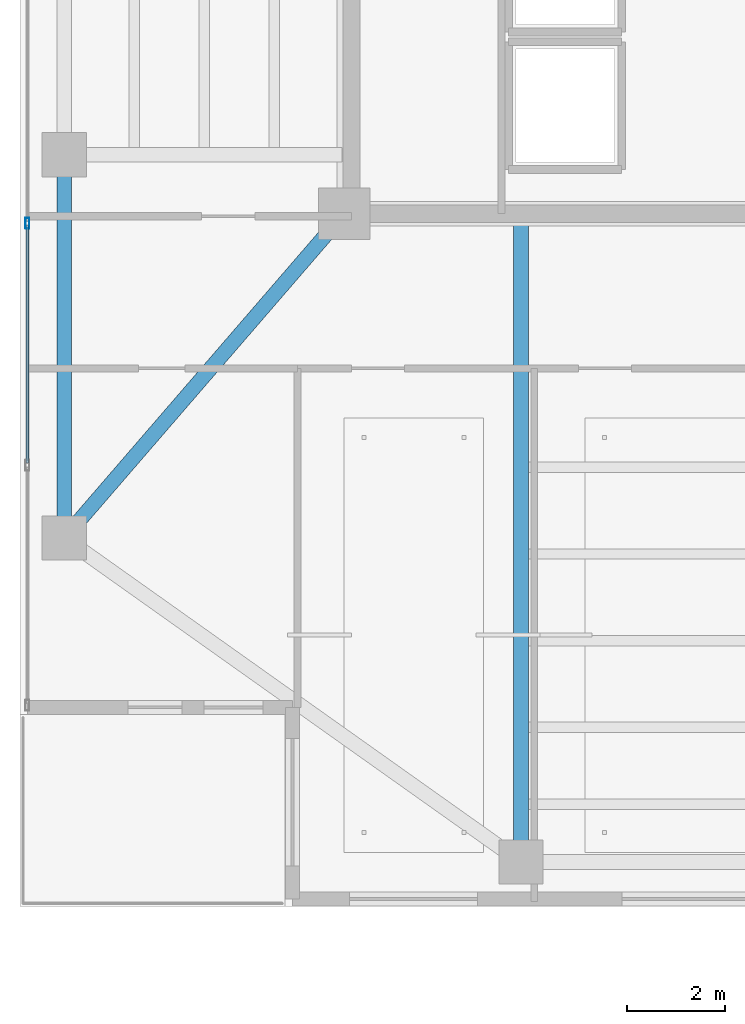
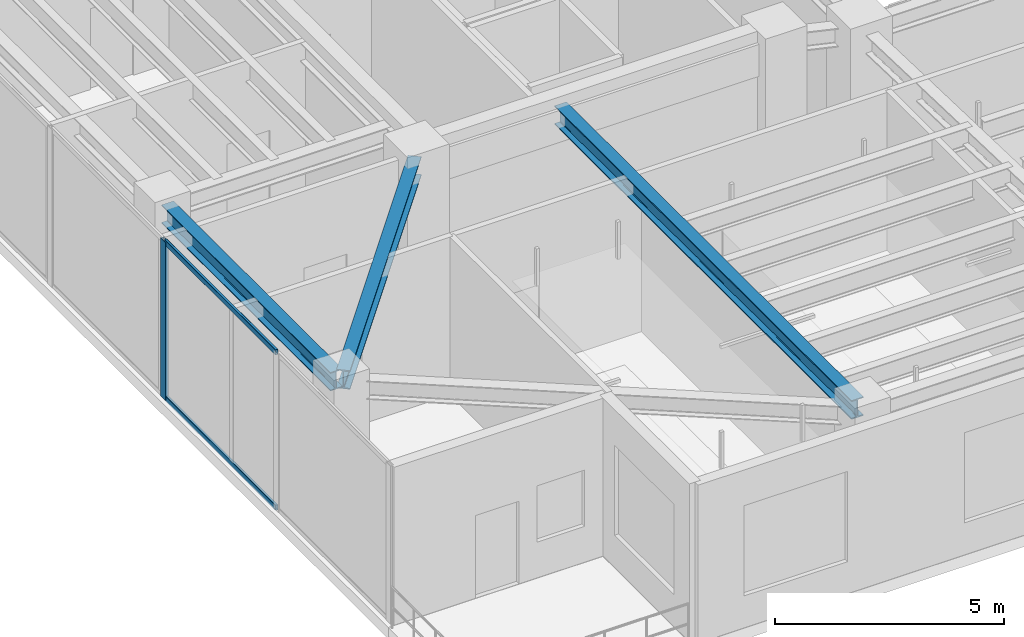
# One storey, part 3 of 33: 3 beams, 3 members, 1 element without a shape of its own.
"""IFC4 building model written with IfcOpenShell, lengths in metres."""

from ifc_helpers import new_model, si_unit, direction, frame, origin, origin_2d, place, context, subcontext, project, spatial, hollow_rectangle, i_section, extrude, material, layer, layer_set, material_profile, profile_set, type_object, element, aggregate, save


model = new_model("IFC4")

# Units and contexts
model_context = context("Model", 3, precision=1e-05, world=origin(), true_north=direction((0.0, 1.0)))
body_context = subcontext(model_context, "Body", "Model", "MODEL_VIEW")
ifc_project = project(units=[si_unit("LENGTHUNIT", "METRE"), si_unit("AREAUNIT", "SQUARE_METRE"), si_unit("VOLUMEUNIT", "CUBIC_METRE"), si_unit("PLANEANGLEUNIT", "RADIAN"), si_unit("MASSUNIT", "GRAM", prefix="KILO")], contexts=[model_context])

# Site, building, storey
site_placement = place(None, origin())
site = spatial("IfcSite", under=ifc_project, at=site_placement, CompositionType="ELEMENT")
building_placement = place(site_placement, origin())
building = spatial("IfcBuilding", under=site, at=building_placement, Name="Tarnavaz Court Tower", CompositionType="ELEMENT")
storey_placement = place(building_placement, frame((0.0, 0.0, 172.800048828125)))
storey = spatial("IfcBuildingStorey", under=building, at=storey_placement, Name="L47", CompositionType="ELEMENT", Elevation=172.800048828125)

# Beams
ifc_material_1 = material(Name="Steel S355", Category="steel")
ifc_material_profile_1 = material_profile(ifc_material_1, i_section(OverallWidth=0.300048828125, OverallDepth=0.5, WebThickness=0.014404296875, FlangeThickness=0.028076171875, FilletRadius=0.027099609375, at=origin_2d()), Name="HEB 500")
ifc_profile_set_1 = profile_set([ifc_material_profile_1], Name="Steel S355")
beam_type_1 = type_object("IfcBeamType", Name="BM-G-HEB500", PredefinedType="USERDEFINED", material=ifc_profile_set_1)
beam_1_placement = place(storey_placement, frame((-15.0, -7.239990234375, 3.949951171875), z_axis=(0.0, -1.0, 0.0), x_axis=(1.0, 0.0, 0.0)))
element("IfcBeam", 1, at=beam_1_placement, inside=storey, type_object=beam_type_1, Name="L47 Beam RG-05", ObjectType="GIRDER", PredefinedType="USERDEFINED", context=body_context, shape_type="SweptSolid", body=[
    extrude(i_section(OverallWidth=0.300048828125, OverallDepth=0.5, WebThickness=0.014404296875, FlangeThickness=0.028076171875, FilletRadius=0.027099609375, at=origin_2d()), origin(), (0.0, 0.0, 1.0), 12.93994140625),
])
beam_2_placement = place(storey_placement, frame((-18.743896484375, -7.366455078125, 3.949951171875), z_axis=(-0.653610659012, -0.756830962914, 0.0), x_axis=(0.756830962914, -0.653610659012, 0.0)))
element("IfcBeam", 2, at=beam_2_placement, inside=storey, type_object=beam_type_1, Name="L47 Beam RG-15", ObjectType="GIRDER", PredefinedType="USERDEFINED", context=body_context, shape_type="SweptSolid", body=[
    extrude(i_section(OverallWidth=0.300048828125, OverallDepth=0.5, WebThickness=0.014404296875, FlangeThickness=0.028076171875, FilletRadius=0.027099609375, at=origin_2d()), origin(), (0.0, 0.0, 1.0), 8.28076171875),
])
ifc_material_profile_2 = material_profile(ifc_material_1, i_section(OverallWidth=0.300048828125, OverallDepth=0.489990234375, WebThickness=0.011962890625, FlangeThickness=0.02294921875, FilletRadius=0.027099609375, at=origin_2d()), Name="HEA 500")
ifc_profile_set_2 = profile_set([ifc_material_profile_2], Name="Steel S355")
beam_type_2 = type_object("IfcBeamType", Name="BM-SP-HEA500", PredefinedType="SPANDREL", material=ifc_profile_set_2)
beam_3_placement = place(storey_placement, frame((-24.300048828125, -13.580078125, 3.954833984375), z_axis=(0.0, 1.0, 0.0), x_axis=(-1.0, 0.0, 0.0)))
element("IfcBeam", 3, at=beam_3_placement, inside=storey, type_object=beam_type_2, Name="L47 Beam PR-PW-1-PW-2", PredefinedType="SPANDREL", context=body_context, shape_type="SweptSolid", body=[
    extrude(i_section(OverallWidth=0.300048828125, OverallDepth=0.489990234375, WebThickness=0.011962890625, FlangeThickness=0.02294921875, FilletRadius=0.027099609375, at=origin_2d()), origin(), (0.0, 0.0, 1.0), 7.360107421875),
])

# Curtain wall, members
ifc_material_2 = material(Name="Anodised Aluminium 6063-T6 and Solar Low-E Glazing", Category="aluminium")
ifc_layer = layer(ifc_material_2, 0.199951171875)
ifc_layer_set = layer_set([ifc_layer], Name="Anodised Aluminium 6063-T6 and Solar Low-E Glazing")
curtain_wall_type = type_object("IfcCurtainWallType", Name="CW-SYS-05", PredefinedType="NOTDEFINED", material=ifc_layer_set)
curtain_wall_placement = place(storey_placement, origin())
curtain_wall = element("IfcCurtainWall", 4, at=curtain_wall_placement, inside=storey, type_object=curtain_wall_type, Name="L47 Sky-Portal Curtain Wall 2", PredefinedType="NOTDEFINED")
ifc_material_3 = material(Name="Anodised Aluminium 6063-T6", Category="aluminium")
ifc_material_profile_3 = material_profile(ifc_material_3, hollow_rectangle(XDim=0.0849609375, YDim=0.219970703125, WallThickness=0.006103515625, InnerFilletRadius=0.006103515625, OuterFilletRadius=0.011962890625, at=origin_2d()), Name="ALU RHS 220X85X6")
ifc_profile_set_3 = profile_set([ifc_material_profile_3], Name="Anodised Aluminium 6063-T6")
member_type_1 = type_object("IfcMemberType", Name="CW-MUL-220", PredefinedType="MULLION", material=ifc_profile_set_3)
member_1_placement = place(storey_placement, frame((-25.050048828125, -7.392822265625, 0.0), z_axis=(0.0, 0.0, 1.0), x_axis=(-1.0, 0.0, 0.0)))
member_1 = element("IfcMember", 5, at=member_1_placement, type_object=member_type_1, Name="CW mullion 3", PredefinedType="MULLION", context=body_context, shape_type="SweptSolid", body=[
    extrude(hollow_rectangle(XDim=0.0849609375, YDim=0.219970703125, WallThickness=0.006103515625, InnerFilletRadius=0.006103515625, OuterFilletRadius=0.011962890625, at=origin_2d()), origin(), (0.0, 0.0, 1.0), 4.199951171875),
])
ifc_material_profile_4 = material_profile(ifc_material_3, hollow_rectangle(XDim=0.06494140625, YDim=0.139892578125, WallThickness=0.00390625, InnerFilletRadius=0.00390625, OuterFilletRadius=0.008056640625, at=origin_2d()), Name="ALU RHS 140X65X4")
ifc_profile_set_4 = profile_set([ifc_material_profile_4], Name="Anodised Aluminium 6063-T6")
member_type_2 = type_object("IfcMemberType", Name="CW-TRN-140", PredefinedType="USERDEFINED", material=ifc_profile_set_4)
member_2_placement = place(storey_placement, frame((-25.050048828125, -12.27880859375, 0.032470703125), z_axis=(0.0, 1.0, 0.0), x_axis=(-1.0, 0.0, 0.0)))
member_2 = element("IfcMember", 6, at=member_2_placement, type_object=member_type_2, Name="CW transom 2.1", ObjectType="TRANSOM", PredefinedType="USERDEFINED", context=body_context, shape_type="SweptSolid", body=[
    extrude(hollow_rectangle(XDim=0.06494140625, YDim=0.139892578125, WallThickness=0.00390625, InnerFilletRadius=0.00390625, OuterFilletRadius=0.008056640625, at=origin_2d()), origin(), (0.0, 0.0, 1.0), 4.843505859375),
])
member_3_placement = place(storey_placement, frame((-25.050048828125, -12.27880859375, 4.16748046875), z_axis=(0.0, 1.0, 0.0), x_axis=(-1.0, 0.0, 0.0)))
member_3 = element("IfcMember", 7, at=member_3_placement, type_object=member_type_2, Name="CW transom 2.2", ObjectType="TRANSOM", PredefinedType="USERDEFINED", context=body_context, shape_type="SweptSolid", body=[
    extrude(hollow_rectangle(XDim=0.06494140625, YDim=0.139892578125, WallThickness=0.00390625, InnerFilletRadius=0.00390625, OuterFilletRadius=0.008056640625, at=origin_2d()), origin(), (0.0, 0.0, 1.0), 4.843505859375),
])
aggregate(curtain_wall, [member_1, member_2, member_3])

save(model, "model.ifc")
